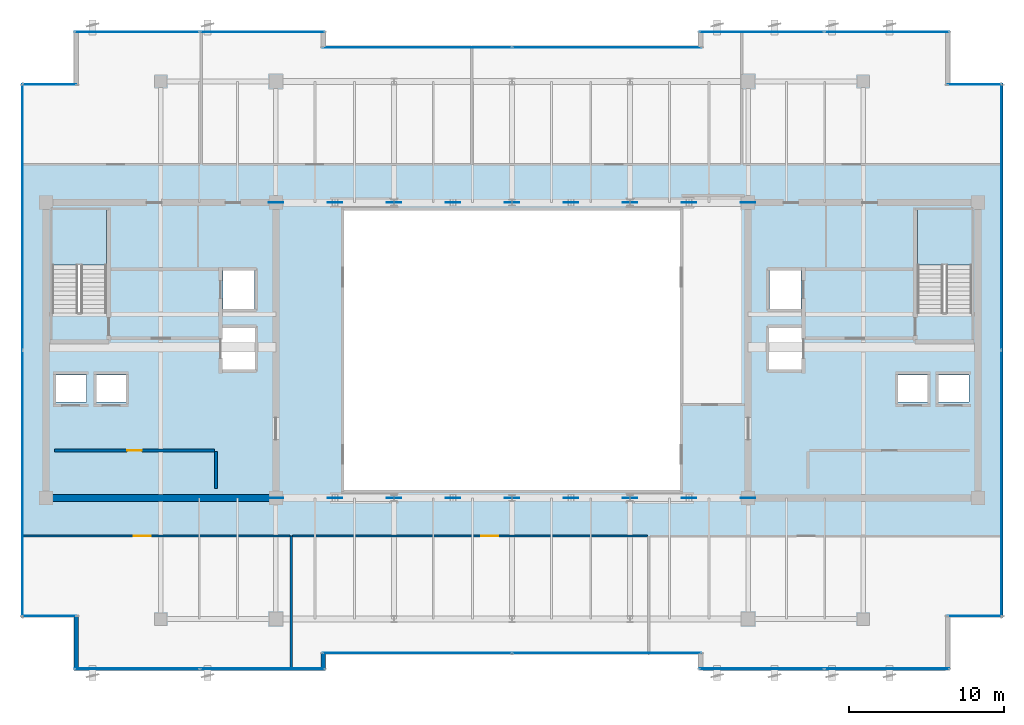
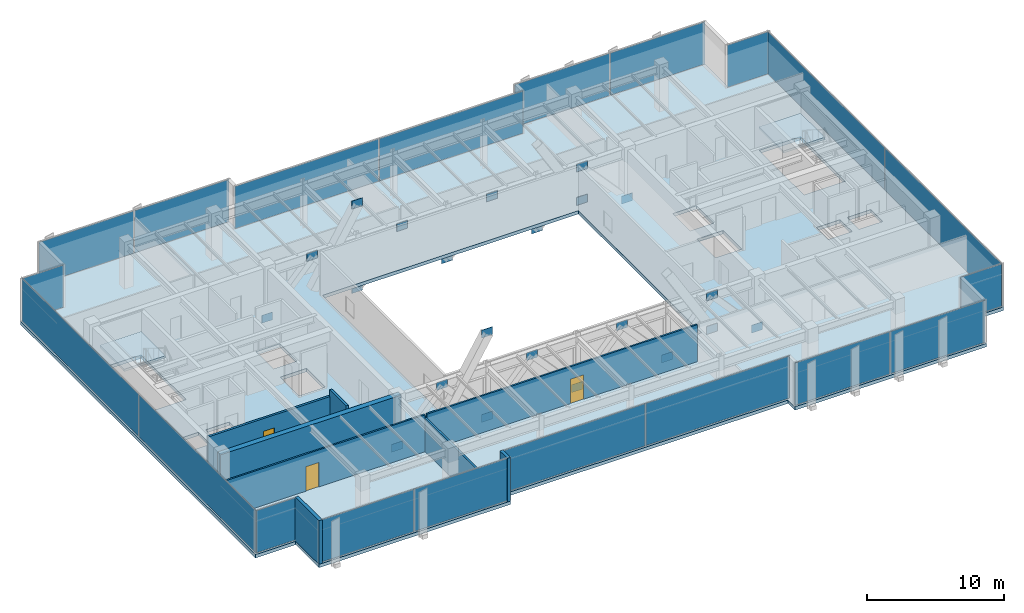
# One storey, part 25 of 32: 42 plates, 8 walls, 3 doors, 3 slabs, 3 openings, 14 elements without a shape of their own.
"""IFC4 building model written with IfcOpenShell, lengths in metres."""

import ifcopenshell
import ifcopenshell.guid

model = None  # the IFC model being written
_history = None  # IfcOwnerHistory: only IFC2X3 demands one
_inside = {}  # id of a spatial element -> (the spatial element, [elements in it])
_under = {}  # id of a project, library or spatial element -> (it, [spatial elements below it])
_declared = {}  # id of a project -> (the project, [libraries it declares])
_typed = {}  # id of a type object -> (the type object, [elements of that type])
_made_of = {}  # id of a material, layer set ... -> (it, [elements and type objects made of it])


def new_model(schema):
    """Start an empty IFC model of exactly this schema.

    Asked for "IFC4X3", IfcOpenShell would pick the latest addendum, in which some entities
    have other attributes; the version numbers below select the first issue.
    IFC2X3 requires an IfcOwnerHistory on every rooted entity: one is made here for all.
    """
    global model, _history
    if schema == "IFC4X3":
        model = ifcopenshell.file(schema_version=(4, 3, 0, 0))
    else:
        model = ifcopenshell.file(schema=schema)
    _inside.clear()
    _under.clear()
    _declared.clear()
    _typed.clear()
    _made_of.clear()
    _history = None
    if model.schema == "IFC2X3":
        org = make("IfcOrganization", Name="unknown")
        user = make(
            "IfcPersonAndOrganization",
            ThePerson=make("IfcPerson", FamilyName="unknown"),
            TheOrganization=org,
        )
        app = make(
            "IfcApplication",
            ApplicationDeveloper=org,
            Version="unknown",
            ApplicationFullName="unknown",
            ApplicationIdentifier="unknown",
        )
        _history = make(
            "IfcOwnerHistory",
            OwningUser=user,
            OwningApplication=app,
            ChangeAction="ADDED",
            CreationDate=0,
        )
    return model


def make(cls, **values):
    """One entity of the class cls with the attributes given. An attribute that is None is left unset."""
    return model.create_entity(
        cls, **{name: value for name, value in values.items() if value is not None}
    )


def rooted(cls, **values):
    """An entity with a GlobalId (a new one), such as an element, a storey or a relation."""
    return make(cls, GlobalId=ifcopenshell.guid.new(), OwnerHistory=_history, **values)


def si_unit(unit_type, name, prefix=None):
    """IfcSIUnit, for example si_unit("LENGTHUNIT", "METRE", prefix="MILLI")."""
    return make("IfcSIUnit", UnitType=unit_type, Prefix=prefix, Name=name)


def assignment(units):
    """IfcUnitAssignment: the units of a project."""
    return None if units is None else make("IfcUnitAssignment", Units=units)


def point(xyz):
    """IfcCartesianPoint."""
    return None if xyz is None else make("IfcCartesianPoint", Coordinates=xyz)


def direction(xyz):
    """IfcDirection."""
    return None if xyz is None else make("IfcDirection", DirectionRatios=xyz)


def frame(location, z_axis=None, x_axis=None):
    """IfcAxis2Placement3D, a coordinate frame: its origin and axes. An axis left out is left unset."""
    return make(
        "IfcAxis2Placement3D",
        Location=point(location),
        Axis=direction(z_axis),
        RefDirection=direction(x_axis),
    )


def frame_2d(location, x_axis=None):
    """IfcAxis2Placement2D, a coordinate frame in the plane: its origin and x axis."""
    return make(
        "IfcAxis2Placement2D", Location=point(location), RefDirection=direction(x_axis)
    )


def origin():
    """The frame at (0, 0, 0) with its axes left unset."""
    return frame((0.0, 0.0, 0.0))


def origin_2d():
    """The frame at (0, 0) in the plane with its x axis left unset."""
    return frame_2d((0.0, 0.0))


def place(relative_to, where):
    """IfcLocalPlacement: puts the frame where relative to a parent placement (None: the world)."""
    return make(
        "IfcLocalPlacement", PlacementRelTo=relative_to, RelativePlacement=where
    )


def context(
    kind, dimensions, precision=None, world=None, true_north=None, identifier=None
):
    """IfcGeometricRepresentationContext, for example the 3D "Model" context."""
    return make(
        "IfcGeometricRepresentationContext",
        ContextIdentifier=identifier,
        ContextType=kind,
        CoordinateSpaceDimension=dimensions,
        Precision=precision,
        WorldCoordinateSystem=world,
        TrueNorth=true_north,
    )


def subcontext(parent, identifier, kind, view, scale=None):
    """IfcGeometricRepresentationSubContext, for example "Body" below "Model"."""
    return make(
        "IfcGeometricRepresentationSubContext",
        ContextIdentifier=identifier,
        ContextType=kind,
        ParentContext=parent,
        TargetScale=scale,
        TargetView=view,
    )


def project(units=None, contexts=None):
    """IfcProject with its units and contexts."""
    return rooted(
        "IfcProject",
        Name="project",
        RepresentationContexts=contexts,
        UnitsInContext=assignment(units),
    )


def spatial(cls, under=None, at=None, **own):
    """A site, building, storey or space (cls), placed at a placement, below another one or the project."""
    s = rooted(cls, ObjectPlacement=at, **own)
    if under is not None:
        _under.setdefault(under.id(), (under, []))[1].append(s)
    return s


def polyline(points):
    """IfcPolyline through the points."""
    return make("IfcPolyline", Points=[point(p) for p in points])


def profile(cls, at=None, kind="AREA", **sizes):
    """A parametric profile (cls). Its sizes go by their IFC names, for example OverallWidth=200.0."""
    return make(cls, ProfileType=kind, Position=at, **sizes)


def rectangle(**sizes):
    """IfcRectangleProfileDef."""
    return profile("IfcRectangleProfileDef", **sizes)


def outline(outer, holes=None, kind="AREA"):
    """IfcArbitraryClosedProfileDef: a profile drawn as a closed curve; with holes, ...WithVoids."""
    if holes is None:
        return make("IfcArbitraryClosedProfileDef", ProfileType=kind, OuterCurve=outer)
    return make(
        "IfcArbitraryProfileDefWithVoids",
        ProfileType=kind,
        OuterCurve=outer,
        InnerCurves=holes,
    )


def extrude(swept, where, along, depth):
    """IfcExtrudedAreaSolid: the profile swept, set in the frame where, extruded along a direction by depth."""
    return make(
        "IfcExtrudedAreaSolid",
        SweptArea=swept,
        Position=where,
        ExtrudedDirection=direction(along),
        Depth=depth,
    )


def shape(context_of_items, identifier, shape_type, items):
    """IfcShapeRepresentation: the items that make up one representation, for example the "Body"."""
    return make(
        "IfcShapeRepresentation",
        ContextOfItems=context_of_items,
        RepresentationIdentifier=identifier,
        RepresentationType=shape_type,
        Items=items,
    )


def source(mapping_origin, context_of_items, identifier, shape_type, items):
    """IfcRepresentationMap: a shape defined once, which mapped items show again and again."""
    return make(
        "IfcRepresentationMap",
        MappingOrigin=mapping_origin,
        MappedRepresentation=shape(context_of_items, identifier, shape_type, items),
    )


def transform(
    local_origin,
    x_axis=None,
    y_axis=None,
    z_axis=None,
    scale=None,
    scale2=None,
    scale3=None,
    uniform=True,
):
    """IfcCartesianTransformationOperator3D, or its non-uniform kind. x_axis, y_axis, z_axis: its Axis1, 2, 3."""
    if uniform:
        return make(
            "IfcCartesianTransformationOperator3D",
            Axis1=direction(x_axis),
            Axis2=direction(y_axis),
            LocalOrigin=point(local_origin),
            Scale=scale,
            Axis3=direction(z_axis),
        )
    return make(
        "IfcCartesianTransformationOperator3DnonUniform",
        Axis1=direction(x_axis),
        Axis2=direction(y_axis),
        LocalOrigin=point(local_origin),
        Scale=scale,
        Axis3=direction(z_axis),
        Scale2=scale2,
        Scale3=scale3,
    )


def mapped(mapping_source, mapping_target):
    """IfcMappedItem: shows the shape of a source again, moved by a transform."""
    return make(
        "IfcMappedItem", MappingSource=mapping_source, MappingTarget=mapping_target
    )


def material(Name=None, Category=None):
    """IfcMaterial."""
    return make("IfcMaterial", Name=Name, Category=Category)


def layer(
    of_material, thickness, ventilated=None, Name=None, Category=None, Priority=None
):
    """IfcMaterialLayer: one layer of a wall or slab, of a material (None: an air gap)."""
    return make(
        "IfcMaterialLayer",
        Material=of_material,
        LayerThickness=thickness,
        IsVentilated=ventilated,
        Name=Name,
        Category=Category,
        Priority=Priority,
    )


def layer_set(layers, Name=None):
    """IfcMaterialLayerSet."""
    return make("IfcMaterialLayerSet", MaterialLayers=layers, LayerSetName=Name)


def made_of(thing, what):
    """Note that an element or type object is made of a material, layer set ...; save() writes the relation."""
    if what is not None:
        _made_of.setdefault(what.id(), (what, []))[1].append(thing)
    return thing


def type_object(cls, material=None, **own):
    """A type object (cls), such as IfcWallType, which elements share."""
    return made_of(rooted(cls, **own), material)


def type_shapes(of_type, sources):
    """Give a type object the sources (RepresentationMaps) that its elements show as mapped items."""
    of_type.RepresentationMaps = sources


def element(
    cls,
    number,
    at=None,
    inside=None,
    cuts=None,
    type_object=None,
    material=None,
    context=None,
    identifier="Body",
    shape_type=None,
    held_by="IfcProductDefinitionShape",
    body=None,
    shapes=None,
    **own,
):
    """One element of the class cls, such as IfcWall. Its Tag is "e" and its number.

    at: its placement. inside: the storey or other place that contains it. cuts: it is an
    opening in that element (IfcRelVoidsElement). A single representation is given by context,
    identifier, shape_type and body (its items); several are given by shapes. held_by: the class
    of the entity that holds the representations. save() writes the other relations.
    """
    e = rooted(cls, Tag="e%d" % number, ObjectPlacement=at, **own)
    if body is not None:
        shapes = [shape(context, identifier, shape_type, body)]
    if shapes is not None:
        e.Representation = make(held_by, Representations=shapes)
    if inside is not None:
        _inside.setdefault(inside.id(), (inside, []))[1].append(e)
    if cuts is not None:
        rooted(
            "IfcRelVoidsElement", RelatingBuildingElement=cuts, RelatedOpeningElement=e
        )
    if type_object is not None:
        _typed.setdefault(type_object.id(), (type_object, []))[1].append(e)
    return made_of(e, material)


def fill(opening, filler):
    """IfcRelFillsElement: the door or window that sits in an opening."""
    return rooted(
        "IfcRelFillsElement",
        RelatingOpeningElement=opening,
        RelatedBuildingElement=filler,
    )


def aggregate(whole, parts):
    """IfcRelAggregates: a whole, such as a stair, and the parts it consists of."""
    return rooted("IfcRelAggregates", RelatingObject=whole, RelatedObjects=parts)


def save(model, path):
    """Write the relations noted so far, then the file.

    IfcRelAggregates (storeys below a building ...), IfcRelContainedInSpatialStructure (elements
    in a storey), IfcRelDefinesByType, IfcRelAssociatesMaterial and IfcRelDeclares: one each for
    every whole, place, type object, material and project.
    """
    for whole, parts in _under.values():
        aggregate(whole, parts)
    for where, things in _inside.values():
        rooted(
            "IfcRelContainedInSpatialStructure",
            RelatedElements=things,
            RelatingStructure=where,
        )
    for kind, things in _typed.values():
        rooted("IfcRelDefinesByType", RelatedObjects=things, RelatingType=kind)
    for what, things in _made_of.values():
        rooted("IfcRelAssociatesMaterial", RelatedObjects=things, RelatingMaterial=what)
    for by, libraries in _declared.values():
        rooted("IfcRelDeclares", RelatingContext=by, RelatedDefinitions=libraries)
    model.write(path)


model = new_model("IFC4")

# Units and contexts
model_context = context("Model", 3, precision=1e-05, world=origin(), true_north=direction((0.0, 1.0)))
body_context = subcontext(model_context, "Body", "Model", "MODEL_VIEW")
ifc_project = project(units=[si_unit("LENGTHUNIT", "METRE"), si_unit("AREAUNIT", "SQUARE_METRE"), si_unit("VOLUMEUNIT", "CUBIC_METRE"), si_unit("PLANEANGLEUNIT", "RADIAN"), si_unit("MASSUNIT", "GRAM", prefix="KILO")], contexts=[model_context])

# Site, building, storey
site_placement = place(None, origin())
site = spatial("IfcSite", under=ifc_project, at=site_placement, CompositionType="ELEMENT")
building_placement = place(site_placement, origin())
building = spatial("IfcBuilding", under=site, at=building_placement, Name="Haelvirn Gate Laboratories", CompositionType="ELEMENT")
storey_placement = place(building_placement, frame((0.0, 0.0, 306.0)))
storey = spatial("IfcBuildingStorey", under=building, at=storey_placement, Name="L73", CompositionType="ELEMENT", Elevation=306.0)

# Stair, slab
ifc_material_1 = material(Name="Concrete C40/50", Category="concrete")
stair_type = type_object("IfcStairType", Name="ST-DOG-1650-R24", PredefinedType="HALF_TURN_STAIR", material=ifc_material_1)
stair_1_placement = place(storey_placement, origin())
stair_1 = element("IfcStair", 1, at=stair_1_placement, inside=storey, type_object=stair_type, Name="L73 Escape Stair ST1", PredefinedType="HALF_TURN_STAIR")
ifc_layer_1 = layer(ifc_material_1, 0.199951171875, Name="SL-STAIR-LND")
ifc_layer_set_1 = layer_set([ifc_layer_1], Name="Concrete C40/50")
slab_type_1 = type_object("IfcSlabType", Name="SL-STAIR-LND", PredefinedType="LANDING", material=ifc_layer_set_1)
slab_1_placement = place(storey_placement, frame((0.0, 0.0, 1.89990234375)))
slab_1 = element("IfcSlab", 2, at=slab_1_placement, type_object=slab_type_1, Name="ST1 landing 1", PredefinedType="LANDING", context=body_context, shape_type="SweptSolid", body=[
    extrude(outline(polyline([(11.300048828125, 29.780029296875), (11.300048828125, 33.35009765625), (7.800048828125, 33.35009765625), (7.800048828125, 29.780029296875), (11.300048828125, 29.780029296875)])), origin(), (0.0, 0.0, 1.0), 0.2001953125),
])
aggregate(stair_1, [slab_1])

stair_2_placement = place(storey_placement, origin())
stair_2 = element("IfcStair", 3, at=stair_2_placement, inside=storey, type_object=stair_type, Name="L73 Escape Stair ST2", PredefinedType="HALF_TURN_STAIR")
slab_2_placement = place(storey_placement, frame((0.0, 0.0, 1.89990234375)))
slab_2 = element("IfcSlab", 4, at=slab_2_placement, type_object=slab_type_1, Name="ST2 landing 1", PredefinedType="LANDING", context=body_context, shape_type="SweptSolid", body=[
    extrude(outline(polyline([(67.0, 29.780029296875), (67.0, 33.35009765625), (63.5, 33.35009765625), (63.5, 29.780029296875), (67.0, 29.780029296875)])), origin(), (0.0, 0.0, 1.0), 0.2001953125),
])
aggregate(stair_2, [slab_2])

# Slab
ifc_layer_2 = layer(ifc_material_1, 0.300048828125, Name="SL-Z3-300")
ifc_layer_set_2 = layer_set([ifc_layer_2], Name="Concrete C40/50")
slab_type_2 = type_object("IfcSlabType", Name="SL-Z3-300", PredefinedType="FLOOR", material=ifc_layer_set_2)
slab_3_placement = place(storey_placement, frame((0.0, 0.0, -0.300048828125)))
element("IfcSlab", 5, at=slab_3_placement, inside=storey, type_object=slab_type_2, Name="L73 Structural Slab MAIN", PredefinedType="FLOOR", context=body_context, shape_type="SweptSolid", body=[
    extrude(outline(polyline([(9.199951171875, 3.699951171875), (25.39990234375, 3.699951171875), (25.39990234375, 4.699951171875), (49.39990234375, 4.699951171875), (49.39990234375, 3.699951171875), (65.60009765625, 3.699951171875), (65.60009765625, 7.10009765625), (69.0, 7.10009765625), (69.0, 41.5), (65.60009765625, 41.5), (65.60009765625, 44.89990234375), (49.39990234375, 44.89990234375), (49.39990234375, 43.89990234375), (25.39990234375, 43.89990234375), (25.39990234375, 44.89990234375), (9.199951171875, 44.89990234375), (9.199951171875, 41.5), (5.800048828125, 41.5), (5.800048828125, 7.10009765625), (9.199951171875, 7.10009765625), (9.199951171875, 3.699951171875)]), holes=[polyline([(26.60009765625, 15.300048828125), (48.199951171875, 15.300048828125), (48.199951171875, 33.300048828125), (26.60009765625, 33.300048828125), (26.60009765625, 15.300048828125)]), polyline([(11.300048828125, 26.780029296875), (11.300048828125, 33.35009765625), (7.800048828125, 33.35009765625), (7.800048828125, 26.780029296875), (11.300048828125, 26.780029296875)]), polyline([(67.0, 26.780029296875), (67.0, 33.35009765625), (63.5, 33.35009765625), (63.5, 26.780029296875), (67.0, 26.780029296875)]), polyline([(7.989990234375, 20.969970703125), (10.010009765625, 20.969970703125), (10.010009765625, 22.7099609375), (7.989990234375, 22.7099609375), (7.989990234375, 20.969970703125)]), polyline([(10.590087890625, 20.969970703125), (12.610107421875, 20.969970703125), (12.610107421875, 22.7099609375), (10.590087890625, 22.7099609375), (10.590087890625, 20.969970703125)]), polyline([(18.7900390625, 26.969970703125), (20.81005859375, 26.969970703125), (20.81005859375, 29.510009765625), (18.7900390625, 29.510009765625), (18.7900390625, 26.969970703125)]), polyline([(18.68994140625, 23.070068359375), (20.909912109375, 23.070068359375), (20.909912109375, 25.81005859375), (18.68994140625, 25.81005859375), (18.68994140625, 23.070068359375)]), polyline([(64.7900390625, 20.969970703125), (66.81005859375, 20.969970703125), (66.81005859375, 22.7099609375), (64.7900390625, 22.7099609375), (64.7900390625, 20.969970703125)]), polyline([(62.18994140625, 20.969970703125), (64.2099609375, 20.969970703125), (64.2099609375, 22.7099609375), (62.18994140625, 22.7099609375), (62.18994140625, 20.969970703125)]), polyline([(53.989990234375, 26.969970703125), (56.010009765625, 26.969970703125), (56.010009765625, 29.510009765625), (53.989990234375, 29.510009765625), (53.989990234375, 26.969970703125)]), polyline([(53.889892578125, 23.070068359375), (56.110107421875, 23.070068359375), (56.110107421875, 25.81005859375), (53.889892578125, 25.81005859375), (53.889892578125, 23.070068359375)])]), origin(), (0.0, 0.0, 1.0), 0.300048828125),
])

# Plates
ifc_material_2 = material(Name="Steel SM420", Category="steel")
ifc_layer_3 = layer(ifc_material_2, 0.033935546875, Name="PL-NODE-AN2")
ifc_layer_set_3 = layer_set([ifc_layer_3], Name="Steel SM420")
plate_type_1 = type_object("IfcPlateType", Name="PL-NODE-AN2", PredefinedType="USERDEFINED", material=ifc_layer_set_3)
shared_shape_1 = source(origin(), body_context, "Body", "SweptSolid", [
    extrude(rectangle(XDim=0.919921875, YDim=0.033935546875, at=origin_2d()), origin(), (0.0, 0.0, 1.0), 0.699951171875),
])
type_shapes(plate_type_1, [shared_shape_1])
for number, where, z_axis, x_axis, name in (
    (6, (29.800048828125, 14.800048828125, 6.4375), (0.0, 0.0, 1.0), (1.0, 0.0, 0.0), "L73 Steel Truss Node Plate AN2"),
    (7, (48.800048828125, 14.800048828125, 0.109375), (0.0, 0.0, 1.0), (1.0, 0.0, 0.0), "L73 Steel Truss Node Plate AN2"),
    (8, (22.199951171875, 14.800048828125, -1.10009765625), (0.0, 0.0, 1.0), (1.0, 0.0, 0.0), "L73 Steel Truss Node Plate AN2"),
    (9, (26.0, 14.800048828125, 3.10009765625), (0.0, 0.0, 1.0), (1.0, 0.0, 0.0), "L73 Steel Truss Node Plate AN2"),
    (10, (29.800048828125, 14.800048828125, -1.10009765625), (0.0, 0.0, 1.0), (1.0, 0.0, 0.0), "L73 Steel Truss Node Plate AN2"),
    (11, (33.60009765625, 14.800048828125, 3.10009765625), (0.0, 0.0, 1.0), (1.0, 0.0, 0.0), "L73 Steel Truss Node Plate AN2"),
    (12, (37.39990234375, 14.800048828125, -1.10009765625), (0.0, 0.0, 1.0), (1.0, 0.0, 0.0), "L73 Steel Truss Node Plate AN2"),
    (13, (41.199951171875, 14.800048828125, 3.10009765625), (0.0, 0.0, 1.0), (1.0, 0.0, 0.0), "L73 Steel Truss Node Plate AN2"),
    (14, (45.0, 14.800048828125, -1.10009765625), (0.0, 0.0, 1.0), (1.0, 0.0, 0.0), "L73 Steel Truss Node Plate AN2"),
    (15, (48.800048828125, 14.800048828125, 3.10009765625), (0.0, 0.0, 1.0), (1.0, 0.0, 0.0), "L73 Steel Truss Node Plate AN2"),
    (16, (52.60009765625, 14.800048828125, -1.10009765625), (0.0, 0.0, 1.0), (1.0, 0.0, 0.0), "L73 Steel Truss Node Plate AN2"),
    (17, (29.800048828125, 33.800048828125, 6.4375), (0.0, 0.0, 1.0), (1.0, 0.0, 0.0), "L73 Steel Truss Node Plate AN2"),
    (18, (48.800048828125, 33.800048828125, 0.109375), (0.0, 0.0, 1.0), (1.0, 0.0, 0.0), "L73 Steel Truss Node Plate AN2"),
    (19, (22.199951171875, 33.800048828125, -1.10009765625), (0.0, 0.0, 1.0), (1.0, 0.0, 0.0), "L73 Steel Truss Node Plate AN2"),
    (20, (26.0, 33.800048828125, 3.10009765625), (0.0, 0.0, 1.0), (1.0, 0.0, 0.0), "L73 Steel Truss Node Plate AN2"),
    (21, (29.800048828125, 33.800048828125, -1.10009765625), (0.0, 0.0, 1.0), (1.0, 0.0, 0.0), "L73 Steel Truss Node Plate AN2"),
    (22, (33.60009765625, 33.800048828125, 3.10009765625), (0.0, 0.0, 1.0), (1.0, 0.0, 0.0), "L73 Steel Truss Node Plate AN2"),
    (23, (37.39990234375, 33.800048828125, -1.10009765625), (0.0, 0.0, 1.0), (1.0, 0.0, 0.0), "L73 Steel Truss Node Plate AN2"),
    (24, (41.199951171875, 33.800048828125, 3.10009765625), (0.0, 0.0, 1.0), (1.0, 0.0, 0.0), "L73 Steel Truss Node Plate AN2"),
    (25, (45.0, 33.800048828125, -1.10009765625), (0.0, 0.0, 1.0), (1.0, 0.0, 0.0), "L73 Steel Truss Node Plate AN2"),
    (26, (48.800048828125, 33.800048828125, 3.10009765625), (0.0, 0.0, 1.0), (1.0, 0.0, 0.0), "L73 Steel Truss Node Plate AN2"),
    (27, (52.60009765625, 33.800048828125, -1.10009765625), (0.0, 0.0, 1.0), (1.0, 0.0, 0.0), "L73 Steel Truss Node Plate AN2"),
):
    element("IfcPlate", number, at=place(storey_placement, frame(where, z_axis=z_axis, x_axis=x_axis)), inside=storey, type_object=plate_type_1, Name=name, ObjectType="GUSSET_PLATE", PredefinedType="USERDEFINED", context=body_context, shape_type="MappedRepresentation", body=[
        mapped(shared_shape_1, transform((0.0, 0.0, 0.0), scale=1.0)),
    ])

# Curtain wall, plates
ifc_material_3 = material(Name="Anodised bronze unitised aluminium & triple low-E glass", Category="aluminium")
ifc_layer_4 = layer(ifc_material_3, 0.176025390625, Name="CW-SYS-4")
ifc_layer_set_4 = layer_set([ifc_layer_4], Name="Anodised bronze unitised aluminium & triple low-E glass")
curtain_wall_type_1 = type_object("IfcCurtainWallType", Name="CW-SYS-4", PredefinedType="NOTDEFINED", material=ifc_layer_set_4)
curtain_wall_1_placement = place(storey_placement, origin())
curtain_wall_1 = element("IfcCurtainWall", 28, at=curtain_wall_1_placement, inside=storey, type_object=curtain_wall_type_1, Name="L73 Unitised Curtain Wall CW-L73-P0-E02-1", PredefinedType="NOTDEFINED")
ifc_material_4 = material(Name="Acoustic laminated bronze triple IGU 36 mm", Category="glass")
ifc_layer_5 = layer(ifc_material_4, 0.035888671875, Name="CWP-IGU-36")
ifc_layer_set_5 = layer_set([ifc_layer_5], Name="Acoustic laminated bronze triple IGU 36 mm")
plate_type_2 = type_object("IfcPlateType", Name="CWP-IGU-36", PredefinedType="CURTAIN_PANEL", material=ifc_layer_set_5)
shared_shape_2 = source(origin(), body_context, "Body", "SweptSolid", [
    extrude(rectangle(XDim=12.135009765625, YDim=0.035888671875, at=origin_2d()), origin(), (0.0, 0.0, 1.0), 3.77001953125),
])
plate_1_placement = place(storey_placement, frame((31.297607421875, 4.800048828125, 0.06494140625), z_axis=(0.0, 0.0, 1.0), x_axis=(1.0, 0.0, 0.0)))
plate_1 = element("IfcPlate", 29, at=plate_1_placement, type_object=plate_type_2, Name="CW4 panel 1.1", PredefinedType="CURTAIN_PANEL", context=body_context, shape_type="MappedRepresentation", body=[
    mapped(shared_shape_2, transform((0.0, 0.0, 0.0), scale=1.0)),
])
plate_2_placement = place(storey_placement, frame((43.50244140625, 4.800048828125, 0.06494140625), z_axis=(0.0, 0.0, 1.0), x_axis=(1.0, 0.0, 0.0)))
plate_2 = element("IfcPlate", 30, at=plate_2_placement, type_object=plate_type_2, Name="CW4 panel 2.1", PredefinedType="CURTAIN_PANEL", context=body_context, shape_type="MappedRepresentation", body=[
    mapped(shared_shape_2, transform((0.0, 0.0, 0.0), scale=1.0)),
])
aggregate(curtain_wall_1, [plate_1, plate_2])

curtain_wall_2_placement = place(storey_placement, origin())
curtain_wall_2 = element("IfcCurtainWall", 31, at=curtain_wall_2_placement, inside=storey, type_object=curtain_wall_type_1, Name="L73 Unitised Curtain Wall CW-L73-P0-E12-1", PredefinedType="NOTDEFINED")
plate_3_placement = place(storey_placement, frame((31.297607421875, 43.800048828125, 0.06494140625), z_axis=(0.0, 0.0, 1.0), x_axis=(1.0, 0.0, 0.0)))
plate_3 = element("IfcPlate", 32, at=plate_3_placement, type_object=plate_type_2, Name="CW4 panel 1.1", PredefinedType="CURTAIN_PANEL", context=body_context, shape_type="MappedRepresentation", body=[
    mapped(shared_shape_2, transform((0.0, 0.0, 0.0), scale=1.0)),
])
plate_4_placement = place(storey_placement, frame((43.50244140625, 43.800048828125, 0.06494140625), z_axis=(0.0, 0.0, 1.0), x_axis=(1.0, 0.0, 0.0)))
plate_4 = element("IfcPlate", 33, at=plate_4_placement, type_object=plate_type_2, Name="CW4 panel 2.1", PredefinedType="CURTAIN_PANEL", context=body_context, shape_type="MappedRepresentation", body=[
    mapped(shared_shape_2, transform((0.0, 0.0, 0.0), scale=1.0)),
])
aggregate(curtain_wall_2, [plate_3, plate_4])

# Curtain wall, plate
ifc_layer_6 = layer(ifc_material_3, 0.181884765625, Name="CW-SYS-5")
ifc_layer_set_6 = layer_set([ifc_layer_6], Name="Anodised bronze unitised aluminium & triple low-E glass")
curtain_wall_type_2 = type_object("IfcCurtainWallType", Name="CW-SYS-5", PredefinedType="NOTDEFINED", material=ifc_layer_set_6)
curtain_wall_3_placement = place(storey_placement, origin())
curtain_wall_3 = element("IfcCurtainWall", 34, at=curtain_wall_3_placement, inside=storey, type_object=curtain_wall_type_2, Name="L73 Unitised Curtain Wall CW-L73-P0-E06-1", PredefinedType="NOTDEFINED")
ifc_material_5 = material(Name="Clear low-iron notched-corner triple IGU 42 mm", Category="glass")
ifc_layer_7 = layer(ifc_material_5, 0.0419921875, Name="CWP-NTC-42")
ifc_layer_set_7 = layer_set([ifc_layer_7], Name="Clear low-iron notched-corner triple IGU 42 mm")
plate_type_3 = type_object("IfcPlateType", Name="CWP-NTC-42", PredefinedType="CURTAIN_PANEL", material=ifc_layer_set_7)
shared_shape_3 = source(origin(), body_context, "Body", "SweptSolid", [
    extrude(rectangle(XDim=3.47998046875, YDim=0.0419921875, at=origin_2d()), origin(), (0.0, 0.0, 1.0), 3.77001953125),
])
type_shapes(plate_type_3, [shared_shape_3])
plate_5_placement = place(storey_placement, frame((67.179931640625, 7.199951171875, 0.06494140625), z_axis=(0.0, 0.0, 1.0), x_axis=(1.0, 0.0, 0.0)))
plate_5 = element("IfcPlate", 35, at=plate_5_placement, type_object=plate_type_3, Name="CW5 panel 1.1", PredefinedType="CURTAIN_PANEL", context=body_context, shape_type="MappedRepresentation", body=[
    mapped(shared_shape_3, transform((0.0, 0.0, 0.0), scale=1.0)),
])
aggregate(curtain_wall_3, [plate_5])

curtain_wall_4_placement = place(storey_placement, origin())
curtain_wall_4 = element("IfcCurtainWall", 36, at=curtain_wall_4_placement, inside=storey, type_object=curtain_wall_type_2, Name="L73 Unitised Curtain Wall CW-L73-P0-E08-1", PredefinedType="NOTDEFINED")
plate_6_placement = place(storey_placement, frame((67.179931640625, 41.39990234375, 0.06494140625), z_axis=(0.0, 0.0, 1.0), x_axis=(1.0, 0.0, 0.0)))
plate_6 = element("IfcPlate", 37, at=plate_6_placement, type_object=plate_type_3, Name="CW5 panel 1.1", PredefinedType="CURTAIN_PANEL", context=body_context, shape_type="MappedRepresentation", body=[
    mapped(shared_shape_3, transform((0.0, 0.0, 0.0), scale=1.0)),
])
aggregate(curtain_wall_4, [plate_6])

curtain_wall_5_placement = place(storey_placement, origin())
curtain_wall_5 = element("IfcCurtainWall", 38, at=curtain_wall_5_placement, inside=storey, type_object=curtain_wall_type_2, Name="L73 Unitised Curtain Wall CW-L73-P0-E16-1", PredefinedType="NOTDEFINED")
plate_7_placement = place(storey_placement, frame((7.6201171875, 41.39990234375, 0.06494140625), z_axis=(0.0, 0.0, 1.0), x_axis=(1.0, 0.0, 0.0)))
plate_7 = element("IfcPlate", 39, at=plate_7_placement, type_object=plate_type_3, Name="CW5 panel 1.1", PredefinedType="CURTAIN_PANEL", context=body_context, shape_type="MappedRepresentation", body=[
    mapped(shared_shape_3, transform((0.0, 0.0, 0.0), scale=1.0)),
])
aggregate(curtain_wall_5, [plate_7])

curtain_wall_6_placement = place(storey_placement, origin())
curtain_wall_6 = element("IfcCurtainWall", 40, at=curtain_wall_6_placement, inside=storey, type_object=curtain_wall_type_2, Name="L73 Unitised Curtain Wall CW-L73-P0-E18-1", PredefinedType="NOTDEFINED")
plate_8_placement = place(storey_placement, frame((7.6201171875, 7.199951171875, 0.06494140625), z_axis=(0.0, 0.0, 1.0), x_axis=(1.0, 0.0, 0.0)))
plate_8 = element("IfcPlate", 41, at=plate_8_placement, type_object=plate_type_3, Name="CW5 panel 1.1", PredefinedType="CURTAIN_PANEL", context=body_context, shape_type="MappedRepresentation", body=[
    mapped(shared_shape_3, transform((0.0, 0.0, 0.0), scale=1.0)),
])
aggregate(curtain_wall_6, [plate_8])

# Curtain wall, plates
curtain_wall_7_placement = place(storey_placement, origin())
curtain_wall_7 = element("IfcCurtainWall", 42, at=curtain_wall_7_placement, inside=storey, type_object=curtain_wall_type_1, Name="L73 Unitised Curtain Wall CW-L73-P0-E07", PredefinedType="NOTDEFINED")
shared_shape_4 = source(origin(), body_context, "Body", "SweptSolid", [
    extrude(rectangle(XDim=17.094970703125, YDim=0.035888671875, at=origin_2d()), origin(), (0.0, 0.0, 1.0), 3.77001953125),
])
plate_9_placement = place(storey_placement, frame((68.89990234375, 15.717529296875, 0.06494140625), z_axis=(0.0, 0.0, 1.0), x_axis=(0.0, 1.0, 0.0)))
plate_9 = element("IfcPlate", 43, at=plate_9_placement, type_object=plate_type_2, Name="CW4 panel 1.1", PredefinedType="CURTAIN_PANEL", context=body_context, shape_type="MappedRepresentation", body=[
    mapped(shared_shape_4, transform((0.0, 0.0, 0.0), scale=1.0)),
])
plate_10_placement = place(storey_placement, frame((68.89990234375, 32.882568359375, 0.06494140625), z_axis=(0.0, 0.0, 1.0), x_axis=(0.0, 1.0, 0.0)))
plate_10 = element("IfcPlate", 44, at=plate_10_placement, type_object=plate_type_2, Name="CW4 panel 2.1", PredefinedType="CURTAIN_PANEL", context=body_context, shape_type="MappedRepresentation", body=[
    mapped(shared_shape_4, transform((0.0, 0.0, 0.0), scale=1.0)),
])
aggregate(curtain_wall_7, [plate_9, plate_10])

curtain_wall_8_placement = place(storey_placement, origin())
curtain_wall_8 = element("IfcCurtainWall", 45, at=curtain_wall_8_placement, inside=storey, type_object=curtain_wall_type_1, Name="L73 Unitised Curtain Wall CW-L73-P0-E17", PredefinedType="NOTDEFINED")
plate_11_placement = place(storey_placement, frame((5.89990234375, 32.882568359375, 0.06494140625), z_axis=(0.0, 0.0, 1.0), x_axis=(0.0, -1.0, 0.0)))
plate_11 = element("IfcPlate", 46, at=plate_11_placement, type_object=plate_type_2, Name="CW4 panel 1.1", PredefinedType="CURTAIN_PANEL", context=body_context, shape_type="MappedRepresentation", body=[
    mapped(shared_shape_4, transform((0.0, 0.0, 0.0), scale=1.0)),
])
plate_12_placement = place(storey_placement, frame((5.89990234375, 15.717529296875, 0.06494140625), z_axis=(0.0, 0.0, 1.0), x_axis=(0.0, -1.0, 0.0)))
plate_12 = element("IfcPlate", 47, at=plate_12_placement, type_object=plate_type_2, Name="CW4 panel 2.1", PredefinedType="CURTAIN_PANEL", context=body_context, shape_type="MappedRepresentation", body=[
    mapped(shared_shape_4, transform((0.0, 0.0, 0.0), scale=1.0)),
])
aggregate(curtain_wall_8, [plate_11, plate_12])

curtain_wall_9_placement = place(storey_placement, origin())
curtain_wall_9 = element("IfcCurtainWall", 48, at=curtain_wall_9_placement, inside=storey, type_object=curtain_wall_type_1, Name="L73 Unitised Curtain Wall CW-L73-P0-E00-1", PredefinedType="NOTDEFINED")
shared_shape_5 = source(origin(), body_context, "Body", "SweptSolid", [
    extrude(rectangle(XDim=7.9951171875, YDim=0.035888671875, at=origin_2d()), origin(), (0.0, 0.0, 1.0), 3.77001953125),
])
type_shapes(plate_type_2, [shared_shape_2, shared_shape_4, shared_shape_5])
plate_13_placement = place(storey_placement, frame((13.267578125, 3.800048828125, 0.06494140625), z_axis=(0.0, 0.0, 1.0), x_axis=(1.0, 0.0, 0.0)))
plate_13 = element("IfcPlate", 49, at=plate_13_placement, type_object=plate_type_2, Name="CW4 panel 1.1", PredefinedType="CURTAIN_PANEL", context=body_context, shape_type="MappedRepresentation", body=[
    mapped(shared_shape_5, transform((0.0, 0.0, 0.0), scale=1.0)),
])
plate_14_placement = place(storey_placement, frame((21.33251953125, 3.800048828125, 0.06494140625), z_axis=(0.0, 0.0, 1.0), x_axis=(1.0, 0.0, 0.0)))
plate_14 = element("IfcPlate", 50, at=plate_14_placement, type_object=plate_type_2, Name="CW4 panel 2.1", PredefinedType="CURTAIN_PANEL", context=body_context, shape_type="MappedRepresentation", body=[
    mapped(shared_shape_5, transform((0.0, 0.0, 0.0), scale=1.0)),
])
aggregate(curtain_wall_9, [plate_13, plate_14])

curtain_wall_10_placement = place(storey_placement, origin())
curtain_wall_10 = element("IfcCurtainWall", 51, at=curtain_wall_10_placement, inside=storey, type_object=curtain_wall_type_1, Name="L73 Unitised Curtain Wall CW-L73-P0-E04-1", PredefinedType="NOTDEFINED")
plate_15_placement = place(storey_placement, frame((53.467529296875, 3.800048828125, 0.06494140625), z_axis=(0.0, 0.0, 1.0), x_axis=(1.0, 0.0, 0.0)))
plate_15 = element("IfcPlate", 52, at=plate_15_placement, type_object=plate_type_2, Name="CW4 panel 1.1", PredefinedType="CURTAIN_PANEL", context=body_context, shape_type="MappedRepresentation", body=[
    mapped(shared_shape_5, transform((0.0, 0.0, 0.0), scale=1.0)),
])
plate_16_placement = place(storey_placement, frame((61.532470703125, 3.800048828125, 0.06494140625), z_axis=(0.0, 0.0, 1.0), x_axis=(1.0, 0.0, 0.0)))
plate_16 = element("IfcPlate", 53, at=plate_16_placement, type_object=plate_type_2, Name="CW4 panel 2.1", PredefinedType="CURTAIN_PANEL", context=body_context, shape_type="MappedRepresentation", body=[
    mapped(shared_shape_5, transform((0.0, 0.0, 0.0), scale=1.0)),
])
aggregate(curtain_wall_10, [plate_15, plate_16])

curtain_wall_11_placement = place(storey_placement, origin())
curtain_wall_11 = element("IfcCurtainWall", 54, at=curtain_wall_11_placement, inside=storey, type_object=curtain_wall_type_1, Name="L73 Unitised Curtain Wall CW-L73-P0-E10-1", PredefinedType="NOTDEFINED")
plate_17_placement = place(storey_placement, frame((53.467529296875, 44.800048828125, 0.06494140625), z_axis=(0.0, 0.0, 1.0), x_axis=(1.0, 0.0, 0.0)))
plate_17 = element("IfcPlate", 55, at=plate_17_placement, type_object=plate_type_2, Name="CW4 panel 1.1", PredefinedType="CURTAIN_PANEL", context=body_context, shape_type="MappedRepresentation", body=[
    mapped(shared_shape_5, transform((0.0, 0.0, 0.0), scale=1.0)),
])
plate_18_placement = place(storey_placement, frame((61.532470703125, 44.800048828125, 0.06494140625), z_axis=(0.0, 0.0, 1.0), x_axis=(1.0, 0.0, 0.0)))
plate_18 = element("IfcPlate", 56, at=plate_18_placement, type_object=plate_type_2, Name="CW4 panel 2.1", PredefinedType="CURTAIN_PANEL", context=body_context, shape_type="MappedRepresentation", body=[
    mapped(shared_shape_5, transform((0.0, 0.0, 0.0), scale=1.0)),
])
aggregate(curtain_wall_11, [plate_17, plate_18])

curtain_wall_12_placement = place(storey_placement, origin())
curtain_wall_12 = element("IfcCurtainWall", 57, at=curtain_wall_12_placement, inside=storey, type_object=curtain_wall_type_1, Name="L73 Unitised Curtain Wall CW-L73-P0-E14-1", PredefinedType="NOTDEFINED")
plate_19_placement = place(storey_placement, frame((13.267578125, 44.800048828125, 0.06494140625), z_axis=(0.0, 0.0, 1.0), x_axis=(1.0, 0.0, 0.0)))
plate_19 = element("IfcPlate", 58, at=plate_19_placement, type_object=plate_type_2, Name="CW4 panel 1.1", PredefinedType="CURTAIN_PANEL", context=body_context, shape_type="MappedRepresentation", body=[
    mapped(shared_shape_5, transform((0.0, 0.0, 0.0), scale=1.0)),
])
plate_20_placement = place(storey_placement, frame((21.33251953125, 44.800048828125, 0.06494140625), z_axis=(0.0, 0.0, 1.0), x_axis=(1.0, 0.0, 0.0)))
plate_20 = element("IfcPlate", 59, at=plate_20_placement, type_object=plate_type_2, Name="CW4 panel 2.1", PredefinedType="CURTAIN_PANEL", context=body_context, shape_type="MappedRepresentation", body=[
    mapped(shared_shape_5, transform((0.0, 0.0, 0.0), scale=1.0)),
])
aggregate(curtain_wall_12, [plate_19, plate_20])

# Walls
ifc_material_6 = material(Name="Thermally-broken bronze aluminium rainscreen & mineral wool", Category="aluminium")
ifc_layer_8 = layer(ifc_material_6, 0.280029296875, Name="EW-TERR-280")
ifc_layer_set_8 = layer_set([ifc_layer_8], Name="Thermally-broken bronze aluminium rainscreen & mineral wool")
wall_type_1 = type_object("IfcWallType", Name="EW-TERR-280", PredefinedType="STANDARD", material=ifc_layer_set_8)
wall_1_placement = place(storey_placement, frame((25.260009765625, 3.699951171875, 0.0), z_axis=(0.0, 0.0, 1.0), x_axis=(0.0, 1.0, 0.0)))
element("IfcWall", 60, at=wall_1_placement, inside=storey, type_object=wall_type_1, Name="L73 Atrium Recess Bronze Return Wall 01", PredefinedType="STANDARD", context=body_context, shape_type="SweptSolid", body=[
    extrude(rectangle(XDim=1.093017578125, YDim=0.280029296875, at=frame_2d((0.54638671875, 0.0))), origin(), (0.0, 0.0, 1.0), 3.89990234375),
])
wall_2_placement = place(storey_placement, frame((9.340087890625, 7.18798828125, 0.0), z_axis=(0.0, 0.0, 1.0), x_axis=(0.0, -1.0, 0.0)))
element("IfcWall", 61, at=wall_2_placement, inside=storey, type_object=wall_type_1, Name="L73 Atrium Recess Bronze Return Wall 19", PredefinedType="STANDARD", context=body_context, shape_type="SweptSolid", body=[
    extrude(rectangle(XDim=3.488037109375, YDim=0.280029296875, at=frame_2d((1.744140625, 0.0))), origin(), (0.0, 0.0, 1.0), 3.89990234375),
])
ifc_material_7 = material(Name="Double-layer acoustic gypsum laboratory partition", Category="gypsum")
ifc_layer_9 = layer(ifc_material_7, 0.159912109375, Name="IW-ACOUST-160")
ifc_layer_set_9 = layer_set([ifc_layer_9], Name="Double-layer acoustic gypsum laboratory partition")
wall_type_2 = type_object("IfcWallType", Name="IW-ACOUST-160", PredefinedType="PARTITIONING", material=ifc_layer_set_9)
wall_3_placement = place(storey_placement, frame((23.199951171875, 3.81005859375, 0.0), z_axis=(0.0, 0.0, 1.0), x_axis=(0.0, 1.0, 0.0)))
element("IfcWall", 62, at=wall_3_placement, inside=storey, type_object=wall_type_2, Name="L73 Interior Wall IW-L73-SDIV-01", PredefinedType="PARTITIONING", context=body_context, shape_type="SweptSolid", body=[
    extrude(rectangle(XDim=8.530029296875, YDim=0.159912109375, at=frame_2d((4.26513671875, 0.0))), origin(), (0.0, 0.0, 1.0), 2.985107421875),
])

# Wall, opening, door
ifc_material_8 = material(Name="Acoustic mineral-wool gypsum board partition", Category="gypsum")
ifc_layer_10 = layer(ifc_material_8, 0.139892578125, Name="IW-PART-140")
ifc_layer_set_10 = layer_set([ifc_layer_10], Name="Acoustic mineral-wool gypsum board partition")
wall_type_3 = type_object("IfcWallType", Name="IW-PART-140", PredefinedType="PARTITIONING", material=ifc_layer_set_10)
wall_4_placement = place(storey_placement, frame((5.909912109375, 12.340087890625, 0.0), z_axis=(0.0, 0.0, 1.0), x_axis=(1.0, 0.0, 0.0)))
wall_4 = element("IfcWall", 63, at=wall_4_placement, inside=storey, type_object=wall_type_3, Name="L73 Interior Wall IW-L73-SCORR-01", PredefinedType="PARTITIONING", context=body_context, shape_type="SweptSolid", body=[
    extrude(rectangle(XDim=17.210205078125, YDim=0.139892578125, at=frame_2d((8.60498046875, 0.0))), origin(), (0.0, 0.0, 1.0), 3.297119140625),
])
opening_1_placement = place(wall_4_placement, frame((7.13037109375, 0.0, 0.0)))
opening_1 = element("IfcOpeningElement", 64, at=opening_1_placement, cuts=wall_4, Name="Opening D1", PredefinedType="OPENING", context=body_context, shape_type="SweptSolid", body=[
    extrude(rectangle(XDim=1.10009765625, YDim=2.179931640625, at=frame_2d((0.550048828125, 1.08984375))), frame((0.0, 0.080078125, 0.0), z_axis=(0.0, -1.0, 0.0), x_axis=(1.0, 0.0, 0.0)), (0.0, 0.0, 1.0), 0.159912109375),
])
ifc_material_9 = material(Name="Vision-panel acoustic solid-core timber lab door", Category="wood")
door_type_1 = type_object("IfcDoorType", Name="DR-LAB-1100", OperationType="NOTDEFINED", PredefinedType="DOOR", material=ifc_material_9)
shared_shape_6 = source(origin(), body_context, "Body", "SweptSolid", [
    extrude(rectangle(XDim=1.10009765625, YDim=2.179931640625, at=frame_2d((0.550048828125, 1.08984375))), frame((0.0, 0.02490234375, 0.0), z_axis=(0.0, -1.0, 0.0), x_axis=(1.0, 0.0, 0.0)), (0.0, 0.0, 1.0), 0.050048828125),
])
type_shapes(door_type_1, [shared_shape_6])
door_1_placement = place(opening_1_placement, origin())
door_1 = element("IfcDoor", 65, at=door_1_placement, inside=storey, type_object=door_type_1, Name="L73 Peer-Review Seminar Room Door S1", OperationType="SINGLE_SWING_RIGHT", OverallHeight=2.179931640625, OverallWidth=1.10009765625, PredefinedType="DOOR", context=body_context, shape_type="MappedRepresentation", body=[
    mapped(shared_shape_6, transform((0.0, 0.0, 0.0), scale=1.0)),
])
fill(opening_1, door_1)

wall_5_placement = place(storey_placement, frame((23.280029296875, 12.340087890625, 0.0), z_axis=(0.0, 0.0, 1.0), x_axis=(1.0, 0.0, 0.0)))
wall_5 = element("IfcWall", 66, at=wall_5_placement, inside=storey, type_object=wall_type_3, Name="L73 Interior Wall IW-L73-SCORR-02", PredefinedType="PARTITIONING", context=body_context, shape_type="SweptSolid", body=[
    extrude(rectangle(XDim=22.840087890625, YDim=0.139892578125, at=frame_2d((11.419921875, 0.0))), origin(), (0.0, 0.0, 1.0), 3.297119140625),
])
opening_2_placement = place(wall_5_placement, frame((12.13232421875, 0.0, 0.0)))
opening_2 = element("IfcOpeningElement", 67, at=opening_2_placement, cuts=wall_5, Name="Opening D1", PredefinedType="OPENING", context=body_context, shape_type="SweptSolid", body=[
    extrude(rectangle(XDim=1.10009765625, YDim=2.179931640625, at=frame_2d((0.550048828125, 1.08984375))), frame((0.0, 0.080078125, 0.0), z_axis=(0.0, -1.0, 0.0), x_axis=(1.0, 0.0, 0.0)), (0.0, 0.0, 1.0), 0.159912109375),
])
door_2_placement = place(opening_2_placement, origin())
door_2 = element("IfcDoor", 68, at=door_2_placement, inside=storey, type_object=door_type_1, Name="L73 Colloquium Conference Room Door S2", OperationType="SINGLE_SWING_LEFT", OverallHeight=2.179931640625, OverallWidth=1.10009765625, PredefinedType="DOOR", context=body_context, shape_type="MappedRepresentation", body=[
    mapped(shared_shape_6, transform((0.0, 0.0, 0.0), scale=1.0)),
])
fill(opening_2, door_2)

ifc_layer_11 = layer(ifc_material_1, 0.179931640625, Name="IW-SHAFT-180")
ifc_layer_set_11 = layer_set([ifc_layer_11], Name="Concrete C40/50")
wall_type_4 = type_object("IfcWallType", Name="IW-SHAFT-180", PredefinedType="SOLIDWALL", material=ifc_layer_set_11)
wall_6_placement = place(storey_placement, frame((7.949951171875, 17.85009765625, 0.0), z_axis=(0.0, 0.0, 1.0), x_axis=(1.0, 0.0, 0.0)))
wall_6 = element("IfcWall", 69, at=wall_6_placement, inside=storey, type_object=wall_type_4, Name="L73 Interior Wall IW-L73-W-FREED-HN-1", PredefinedType="SOLIDWALL", context=body_context, shape_type="SweptSolid", body=[
    extrude(rectangle(XDim=10.300048828125, YDim=0.179931640625, at=frame_2d((5.14990234375, 0.0))), origin(), (0.0, 0.0, 1.0), 3.297119140625),
])
opening_3_placement = place(wall_6_placement, frame((4.675048828125, 0.0, 0.0)))
opening_3 = element("IfcOpeningElement", 70, at=opening_3_placement, cuts=wall_6, Name="Opening FD4", PredefinedType="OPENING", context=body_context, shape_type="SweptSolid", body=[
    extrude(rectangle(XDim=0.949951171875, YDim=2.14990234375, at=frame_2d((0.47509765625, 1.074951171875))), frame((0.0, 0.10009765625, 0.0), z_axis=(0.0, -1.0, 0.0), x_axis=(1.0, 0.0, 0.0)), (0.0, 0.0, 1.0), 0.199951171875),
])
ifc_material_10 = material(Name="Fire-rated steel SM355 core service door", Category="steel")
door_type_2 = type_object("IfcDoorType", Name="DR-FD-950", OperationType="NOTDEFINED", PredefinedType="DOOR", material=ifc_material_10)
shared_shape_7 = source(origin(), body_context, "Body", "SweptSolid", [
    extrude(rectangle(XDim=0.949951171875, YDim=2.14990234375, at=frame_2d((0.47509765625, 1.074951171875))), frame((0.0, 0.02490234375, 0.0), z_axis=(0.0, -1.0, 0.0), x_axis=(1.0, 0.0, 0.0)), (0.0, 0.0, 1.0), 0.050048828125),
])
type_shapes(door_type_2, [shared_shape_7])
door_3_placement = place(opening_3_placement, origin())
door_3 = element("IfcDoor", 71, at=door_3_placement, inside=storey, type_object=door_type_2, Name="L73 High-Zone Cryogenic Biobank Vault Door", OperationType="SINGLE_SWING_LEFT", OverallHeight=2.14990234375, OverallWidth=0.949951171875, PredefinedType="DOOR", context=body_context, shape_type="MappedRepresentation", body=[
    mapped(shared_shape_7, transform((0.0, 0.0, 0.0), scale=1.0)),
])
fill(opening_3, door_3)

# Walls
wall_7_placement = place(storey_placement, frame((18.340087890625, 15.39990234375, 0.0), z_axis=(0.0, 0.0, 1.0), x_axis=(0.0, 1.0, 0.0)))
element("IfcWall", 72, at=wall_7_placement, inside=storey, type_object=wall_type_4, Name="L73 Interior Wall IW-L73-W-FREED-HE-1", PredefinedType="SOLIDWALL", context=body_context, shape_type="SweptSolid", body=[
    extrude(rectangle(XDim=2.400146484375, YDim=0.179931640625, at=frame_2d((1.2001953125, 0.0))), origin(), (0.0, 0.0, 1.0), 3.89990234375),
])
ifc_material_11 = material(Name="Concrete C50/60", Category="concrete")
ifc_layer_12 = layer(ifc_material_11, 0.449951171875, Name="SW-CORE-450")
ifc_layer_set_12 = layer_set([ifc_layer_12], Name="Concrete C50/60")
wall_type_5 = type_object("IfcWallType", Name="SW-CORE-450", PredefinedType="SHEAR", material=ifc_layer_set_12)
wall_8_placement = place(storey_placement, frame((7.175048828125, 14.800048828125, 0.0), z_axis=(0.0, 0.0, 1.0), x_axis=(1.0, 0.0, 0.0)))
element("IfcWall", 73, at=wall_8_placement, inside=storey, type_object=wall_type_5, Name="L73 W Core Shear Wall S", PredefinedType="SHEAR", context=body_context, shape_type="SweptSolid", body=[
    extrude(rectangle(XDim=15.25, YDim=0.449951171875, at=frame_2d((7.625, 0.0))), origin(), (0.0, 0.0, 1.0), 3.89990234375),
])

save(model, "model.ifc")
